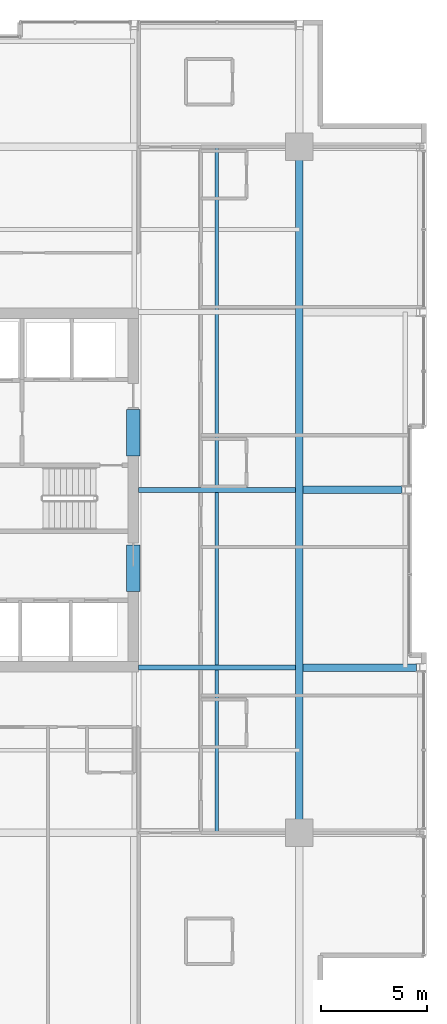
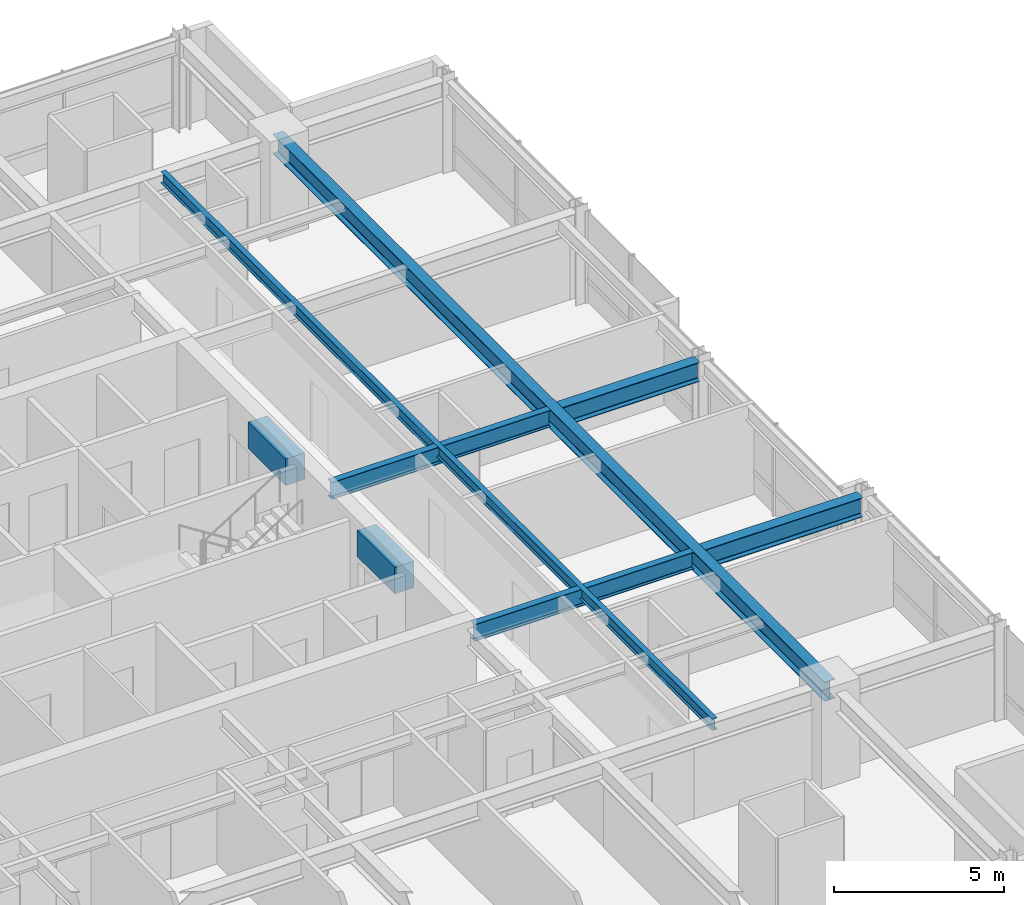
# One storey, part 14 of 32: 8 beams.
"""IFC4 building model written with IfcOpenShell, lengths in metres."""

from ifc_helpers import new_model, si_unit, direction, frame, origin, origin_2d, place, context, subcontext, project, spatial, rectangle, i_section, extrude, material, material_profile, profile_set, type_object, element, save


model = new_model("IFC4")

# Units and contexts
model_context = context("Model", 3, precision=1e-05, world=origin(), true_north=direction((0.0, 1.0)))
body_context = subcontext(model_context, "Body", "Model", "MODEL_VIEW")
ifc_project = project(units=[si_unit("LENGTHUNIT", "METRE"), si_unit("AREAUNIT", "SQUARE_METRE"), si_unit("VOLUMEUNIT", "CUBIC_METRE"), si_unit("PLANEANGLEUNIT", "RADIAN"), si_unit("MASSUNIT", "GRAM", prefix="KILO")], contexts=[model_context])

# Site, building, storey
site_placement = place(None, origin())
site = spatial("IfcSite", under=ifc_project, at=site_placement, CompositionType="ELEMENT")
building_placement = place(site_placement, origin())
building = spatial("IfcBuilding", under=site, at=building_placement, Name="Drelvath Grand Hotel", CompositionType="ELEMENT")
storey_placement = place(building_placement, frame((0.0, 0.0, 193.0)))
storey = spatial("IfcBuildingStorey", under=building, at=storey_placement, Name="L50", CompositionType="ELEMENT", Elevation=193.0)

# Beams
ifc_material_1 = material(Name="Steel ASTM A992 Gr 50", Category="steel")
ifc_material_profile_1 = material_profile(ifc_material_1, i_section(OverallWidth=0.177734375, OverallDepth=0.40673828125, WebThickness=0.0078125, FlangeThickness=0.0126953125, FilletRadius=0.014892578125, at=origin_2d()), Name="W16X40")
ifc_profile_set_1 = profile_set([ifc_material_profile_1], Name="Steel ASTM A992 Gr 50")
beam_type_1 = type_object("IfcBeamType", Name="Composite Floor Joist W16X40", PredefinedType="JOIST", material=ifc_profile_set_1)
beam_1_placement = place(storey_placement, frame((12.300048828125, 10.800048828125, 3.086669921875), z_axis=(0.0, 1.0, 0.0), x_axis=(-1.0, 0.0, 0.0)))
element("IfcBeam", 1, at=beam_1_placement, inside=storey, type_object=beam_type_1, Name="L50 Wing Floor Joist J4", PredefinedType="JOIST", context=body_context, shape_type="SweptSolid", body=[
    extrude(i_section(OverallWidth=0.177734375, OverallDepth=0.40673828125, WebThickness=0.0078125, FlangeThickness=0.0126953125, FilletRadius=0.014892578125, at=origin_2d()), origin(), (0.0, 0.0, 1.0), 32.39990234375),
])
ifc_material_2 = material(Name="Concrete f'c 55 MPa", Category="concrete")
ifc_material_profile_2 = material_profile(ifc_material_2, rectangle(XDim=0.64990234375, YDim=0.949951171875, at=origin_2d()), Name="CB650X950")
ifc_profile_set_2 = profile_set([ifc_material_profile_2], Name="Concrete f'c 55 MPa")
beam_type_2 = type_object("IfcBeamType", Name="Core Coupling Lintel CB650X950", PredefinedType="LINTEL", material=ifc_profile_set_2)
for number, where, z_axis, x_axis, name in (
    (2, (8.35009765625, 22.199951171875, 2.81494140625), (0.0, 1.0, 0.0), (-1.0, 0.0, 0.0), "L50 Core Coupling Lintel ES"),
    (3, (8.35009765625, 28.60009765625, 2.81494140625), (0.0, 1.0, 0.0), (-1.0, 0.0, 0.0), "L50 Core Coupling Lintel EN"),
):
    element("IfcBeam", number, at=place(storey_placement, frame(where, z_axis=z_axis, x_axis=x_axis)), inside=storey, type_object=beam_type_2, Name=name, PredefinedType="LINTEL", context=body_context, shape_type="SweptSolid", body=[
        extrude(rectangle(XDim=0.64990234375, YDim=0.949951171875, at=origin_2d()), origin(), (0.0, 0.0, 1.0), 2.199951171875),
    ])
ifc_material_profile_3 = material_profile(ifc_material_1, i_section(OverallWidth=0.228271484375, OverallDepth=0.607666015625, WebThickness=0.01123046875, FlangeThickness=0.017333984375, FilletRadius=0.02001953125, at=origin_2d()), Name="W24X76")
ifc_profile_set_3 = profile_set([ifc_material_profile_3], Name="Steel ASTM A992 Gr 50")
beam_type_3 = type_object("IfcBeamType", Name="Primary Floor Girder W24X76", PredefinedType="BEAM", material=ifc_profile_set_3)
for number, where, z_axis, x_axis, name in (
    (4, (8.60009765625, 18.60009765625, 2.986083984375), (1.0, 0.0, 0.0), (0.0, 1.0, 0.0), "L50 East Core Tie D"),
    (5, (8.60009765625, 27.0, 2.986083984375), (1.0, 0.0, 0.0), (0.0, 1.0, 0.0), "L50 East Core Tie E"),
):
    element("IfcBeam", number, at=place(storey_placement, frame(where, z_axis=z_axis, x_axis=x_axis)), inside=storey, type_object=beam_type_3, Name=name, PredefinedType="BEAM", context=body_context, shape_type="SweptSolid", body=[
        extrude(i_section(OverallWidth=0.228271484375, OverallDepth=0.607666015625, WebThickness=0.01123046875, FlangeThickness=0.017333984375, FilletRadius=0.02001953125, at=origin_2d()), origin(), (0.0, 0.0, 1.0), 7.422607421875),
    ])
ifc_material_profile_4 = material_profile(ifc_material_1, i_section(OverallWidth=0.354736328125, OverallDepth=0.695556640625, WebThickness=0.015380859375, FlangeThickness=0.025146484375, FilletRadius=0.02392578125, at=origin_2d()), Name="W27X146")
ifc_profile_set_4 = profile_set([ifc_material_profile_4], Name="Steel ASTM A992 Gr 50")
beam_type_4 = type_object("IfcBeamType", Name="Primary Floor Girder W27X146", PredefinedType="BEAM", material=ifc_profile_set_4)
beam_2_placement = place(storey_placement, frame((16.199951171875, 10.800048828125, 2.9423828125), z_axis=(0.0, 1.0, 0.0), x_axis=(-1.0, 0.0, 0.0)))
element("IfcBeam", 6, at=beam_2_placement, inside=storey, type_object=beam_type_4, Name="L50 Mega Ring Girder East", PredefinedType="BEAM", context=body_context, shape_type="SweptSolid", body=[
    extrude(i_section(OverallWidth=0.354736328125, OverallDepth=0.695556640625, WebThickness=0.015380859375, FlangeThickness=0.025146484375, FilletRadius=0.02392578125, at=origin_2d()), origin(), (0.0, 0.0, 1.0), 32.39990234375),
])
beam_3_placement = place(storey_placement, frame((16.37744140625, 18.60009765625, 2.9423828125), z_axis=(1.0, 0.0, 0.0), x_axis=(0.0, 1.0, 0.0)))
element("IfcBeam", 7, at=beam_3_placement, inside=storey, type_object=beam_type_4, Name="L50 East Wing Girder D", PredefinedType="BEAM", context=body_context, shape_type="SweptSolid", body=[
    extrude(i_section(OverallWidth=0.354736328125, OverallDepth=0.695556640625, WebThickness=0.015380859375, FlangeThickness=0.025146484375, FilletRadius=0.02392578125, at=origin_2d()), origin(), (0.0, 0.0, 1.0), 5.362548828125),
])
beam_4_placement = place(storey_placement, frame((16.37744140625, 27.0, 2.9423828125), z_axis=(1.0, 0.0, 0.0), x_axis=(0.0, 1.0, 0.0)))
element("IfcBeam", 8, at=beam_4_placement, inside=storey, type_object=beam_type_4, Name="L50 East Wing Girder E", PredefinedType="BEAM", context=body_context, shape_type="SweptSolid", body=[
    extrude(i_section(OverallWidth=0.354736328125, OverallDepth=0.695556640625, WebThickness=0.015380859375, FlangeThickness=0.025146484375, FilletRadius=0.02392578125, at=origin_2d()), origin(), (0.0, 0.0, 1.0), 4.6826171875),
])

save(model, "model.ifc")
